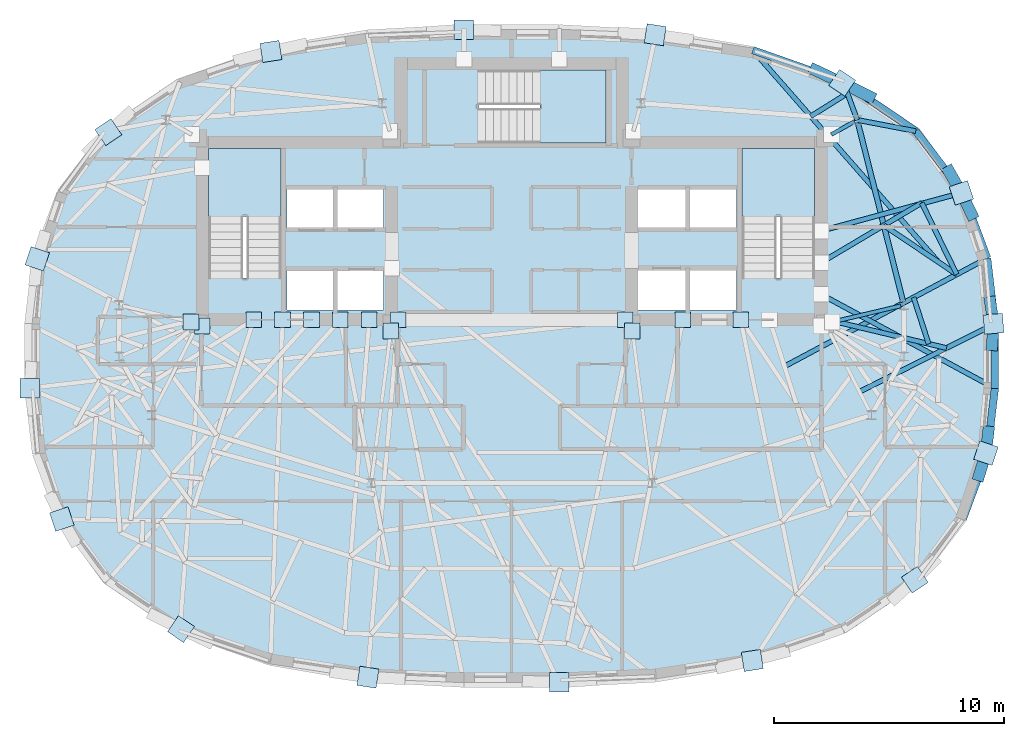
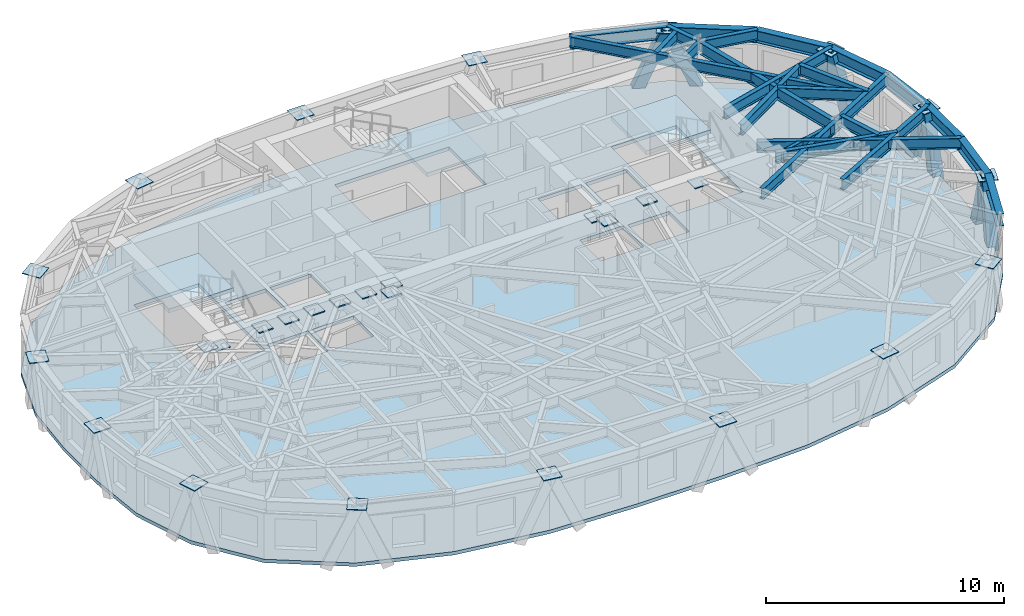
# One storey, part 4 of 12: 29 plates, 24 beams, 8 members, 4 slabs, 3 elements without a shape of their own.
"""IFC4 building model written with IfcOpenShell, lengths in metres."""

from ifc_helpers import new_model, si_unit, direction, frame, origin, origin_2d, place, context, subcontext, project, spatial, polyline, rectangle, hollow_rectangle, i_section, outline, extrude, material, layer, layer_set, material_profile, profile_set, type_object, element, aggregate, save


model = new_model("IFC4")

# Units and contexts
model_context = context("Model", 3, precision=1e-05, world=origin(), true_north=direction((0.0, 1.0)))
body_context = subcontext(model_context, "Body", "Model", "MODEL_VIEW")
ifc_project = project(units=[si_unit("LENGTHUNIT", "METRE"), si_unit("AREAUNIT", "SQUARE_METRE"), si_unit("VOLUMEUNIT", "CUBIC_METRE"), si_unit("PLANEANGLEUNIT", "RADIAN"), si_unit("MASSUNIT", "GRAM", prefix="KILO")], contexts=[model_context])

# Site, building, storey
site_placement = place(None, origin())
site = spatial("IfcSite", under=ifc_project, at=site_placement, CompositionType="ELEMENT")
building_placement = place(site_placement, origin())
building = spatial("IfcBuilding", under=site, at=building_placement, Name="Keldmark Tower", CompositionType="ELEMENT")
storey_placement = place(building_placement, frame((0.0, 0.0, 250.949951171875)))
storey = spatial("IfcBuildingStorey", under=building, at=storey_placement, Name="L71", CompositionType="ELEMENT", Elevation=250.949951171875)

# Members
ifc_material_1 = material(Name="Steel ASTM A572 Grade 50", Category="steel")
ifc_material_profile_1 = material_profile(ifc_material_1, hollow_rectangle(XDim=0.5, YDim=0.5, WallThickness=0.030029296875, at=origin_2d()), Name="BOX500X500X30")
ifc_profile_set_1 = profile_set([ifc_material_profile_1], Name="Steel ASTM A572 Grade 50")
member_type = type_object("IfcMemberType", Name="Diagrid Upper Brace BOX500X500X30", PredefinedType="BRACE", material=ifc_profile_set_1)
member_1_placement = place(storey_placement, frame((20.766845703125, 2.34130859375, -0.260009765625), z_axis=(0.044563028667, -0.290935059207, 0.955704414451), x_axis=(0.988471671921, 0.151405923961, 0.0)))
element("IfcMember", 1, at=member_1_placement, inside=storey, type_object=member_type, Name="L71 Perimeter Diagrid Brace 01A", PredefinedType="BRACE", context=body_context, shape_type="SweptSolid", body=[
    extrude(hollow_rectangle(XDim=0.5, YDim=0.5, WallThickness=0.030029296875, at=origin_2d()), origin(), (0.0, 0.0, 1.0), 3.254150390625),
])
member_2_placement = place(storey_placement, frame((19.958251953125, 6.156982421875, -0.260009765625), z_axis=(-0.135009436415, 0.280834545913, 0.950212823477), x_axis=(-0.901261412723, -0.433275738919, 0.0)))
element("IfcMember", 2, at=member_2_placement, inside=storey, type_object=member_type, Name="L71 Perimeter Diagrid Brace 01B", PredefinedType="BRACE", context=body_context, shape_type="SweptSolid", body=[
    extrude(hollow_rectangle(XDim=0.5, YDim=0.5, WallThickness=0.030029296875, at=origin_2d()), origin(), (0.0, 0.0, 1.0), 3.27294921875),
])
member_3_placement = place(storey_placement, frame((18.97900390625, 8.014404296875, -0.260009765625), z_axis=(0.164337629641, -0.287942633638, 0.943441669218), x_axis=(0.868504205417, 0.495681798308, 0.0)))
element("IfcMember", 3, at=member_3_placement, inside=storey, type_object=member_type, Name="L71 Perimeter Diagrid Brace 02A", PredefinedType="BRACE", context=body_context, shape_type="SweptSolid", body=[
    extrude(hollow_rectangle(XDim=0.5, YDim=0.5, WallThickness=0.030029296875, at=origin_2d()), origin(), (0.0, 0.0, 1.0), 3.296630859375),
])
member_4_placement = place(storey_placement, frame((15.545654296875, 11.251220703125, -0.260009765625), z_axis=(-0.354184850957, 0.177452808925, 0.91818494431), x_axis=(-0.447941215478, -0.894063010909, 0.0)))
element("IfcMember", 4, at=member_4_placement, inside=storey, type_object=member_type, Name="L71 Perimeter Diagrid Brace 02B", PredefinedType="BRACE", context=body_context, shape_type="SweptSolid", body=[
    extrude(hollow_rectangle(XDim=0.5, YDim=0.5, WallThickness=0.030029296875, at=origin_2d()), origin(), (0.0, 0.0, 1.0), 3.38720703125),
])
member_5_placement = place(storey_placement, frame((13.15966796875, 12.4091796875, -0.260009765625), z_axis=(0.353506141559, -0.167252548071, 0.920358621975), x_axis=(0.427673351571, 0.903933351722, 0.0)))
element("IfcMember", 5, at=member_5_placement, inside=storey, type_object=member_type, Name="L71 Perimeter Diagrid Brace 03A", PredefinedType="BRACE", context=body_context, shape_type="SweptSolid", body=[
    extrude(hollow_rectangle(XDim=0.5, YDim=0.5, WallThickness=0.030029296875, at=origin_2d()), origin(), (0.0, 0.0, 1.0), 3.379150390625),
])
member_6_placement = place(storey_placement, frame((20.28515625, -5.18359375, -0.260009765625), z_axis=(0.091362196537, 0.295807503985, 0.950868481773), x_axis=(-0.955465694242, 0.295102197767, 0.0)))
element("IfcMember", 6, at=member_6_placement, inside=storey, type_object=member_type, Name="L71 Perimeter Diagrid Brace 15B", PredefinedType="BRACE", context=body_context, shape_type="SweptSolid", body=[
    extrude(hollow_rectangle(XDim=0.5, YDim=0.5, WallThickness=0.030029296875, at=origin_2d()), origin(), (0.0, 0.0, 1.0), 3.270751953125),
])
member_7_placement = place(storey_placement, frame((20.68603515625, -3.281005859375, -0.260009765625), z_axis=(-0.032726697691, -0.290862278792, 0.956205050203), x_axis=(0.99372953543, -0.111810600632, 0.0)))
element("IfcMember", 7, at=member_7_placement, inside=storey, type_object=member_type, Name="L71 Perimeter Diagrid Brace 16A", PredefinedType="BRACE", context=body_context, shape_type="SweptSolid", body=[
    extrude(hollow_rectangle(XDim=0.5, YDim=0.5, WallThickness=0.030029296875, at=origin_2d()), origin(), (0.0, 0.0, 1.0), 3.25244140625),
])
member_8_placement = place(storey_placement, frame((20.849853515625, 0.47119140625, -0.260009765625), z_axis=(0.01909097123, 0.287867794534, 0.957479852367), x_axis=(-0.997808153175, 0.066173177782, 0.0)))
element("IfcMember", 8, at=member_8_placement, inside=storey, type_object=member_type, Name="L71 Perimeter Diagrid Brace 16B", PredefinedType="BRACE", context=body_context, shape_type="SweptSolid", body=[
    extrude(hollow_rectangle(XDim=0.5, YDim=0.5, WallThickness=0.030029296875, at=origin_2d()), origin(), (0.0, 0.0, 1.0), 3.248291015625),
])

# Beams
ifc_material_2 = material(Name="Steel ASTM A992 Grade 50", Category="steel")
ifc_material_profile_2 = material_profile(ifc_material_2, i_section(OverallWidth=0.22802734375, OverallDepth=0.60302734375, WebThickness=0.010498046875, FlangeThickness=0.014892578125, at=origin_2d()), Name="W24X68")
ifc_profile_set_2 = profile_set([ifc_material_profile_2], Name="Steel ASTM A992 Grade 50")
beam_type_1 = type_object("IfcBeamType", Name="Primary Floor Girder W24X68", PredefinedType="BEAM", material=ifc_profile_set_2)
beam_1_placement = place(storey_placement, frame((16.9912109375, 2.34375, 2.66845703125), z_axis=(-0.244902129455, 0.969547805417, 0.0), x_axis=(-0.969547805417, -0.244902129455, 0.0)))
element("IfcBeam", 9, at=beam_1_placement, inside=storey, type_object=beam_type_1, Name="L71 Floor Ring Girder FG-R01", PredefinedType="BEAM", context=body_context, shape_type="SweptSolid", body=[
    extrude(i_section(OverallWidth=0.22802734375, OverallDepth=0.60302734375, WebThickness=0.010498046875, FlangeThickness=0.014892578125, at=origin_2d()), origin(), (0.0, 0.0, 1.0), 8.008056640625),
])
ifc_material_3 = material(Name="Steel ASTM A992 Grade 50", Category="steel")
ifc_material_profile_3 = material_profile(ifc_material_3, i_section(OverallWidth=0.166015625, OverallDepth=0.529052734375, WebThickness=0.009765625, FlangeThickness=0.013671875, at=origin_2d()), Name="W21X50")
ifc_profile_set_3 = profile_set([ifc_material_profile_3], Name="Steel ASTM A992 Grade 50")
beam_type_2 = type_object("IfcBeamType", Name="Radial Tie Girder W21X50", PredefinedType="BEAM", material=ifc_profile_set_3)
beam_2_placement = place(storey_placement, frame((16.889404296875, 2.17578125, 2.70556640625), z_axis=(-0.97329039005, -0.229577474147, 0.0), x_axis=(0.229577474147, -0.97329039005, 0.0)))
element("IfcBeam", 10, at=beam_2_placement, inside=storey, type_object=beam_type_2, Name="L71 Floor Radial Girder FG-C01", PredefinedType="BEAM", context=body_context, shape_type="SweptSolid", body=[
    extrude(i_section(OverallWidth=0.166015625, OverallDepth=0.529052734375, WebThickness=0.009765625, FlangeThickness=0.013671875, at=origin_2d()), origin(), (0.0, 0.0, 1.0), 3.0595703125),
])
beam_3_placement = place(storey_placement, frame((14.8740234375, 10.174560546875, 2.70556640625), z_axis=(-0.869238046195, -0.494393789451, 0.0), x_axis=(0.494393789451, -0.869238046195, 0.0)))
element("IfcBeam", 11, at=beam_3_placement, inside=storey, type_object=beam_type_2, Name="L71 Floor Radial Girder FG-C02", PredefinedType="BEAM", context=body_context, shape_type="SweptSolid", body=[
    extrude(i_section(OverallWidth=0.166015625, OverallDepth=0.529052734375, WebThickness=0.009765625, FlangeThickness=0.013671875, at=origin_2d()), origin(), (0.0, 0.0, 1.0), 1.145751953125),
])
ifc_material_4 = material(Name="Steel ASTM A992 Grade 50", Category="steel")
ifc_material_profile_4 = material_profile(ifc_material_4, i_section(OverallWidth=0.2099609375, OverallDepth=0.537109375, WebThickness=0.010986328125, FlangeThickness=0.017333984375, at=origin_2d()), Name="W21X68")
ifc_profile_set_4 = profile_set([ifc_material_profile_4], Name="Steel ASTM A992 Grade 50")
beam_type_3 = type_object("IfcBeamType", Name="Radial Tie Girder W21X68", PredefinedType="BEAM", material=ifc_profile_set_4)
beam_4_placement = place(storey_placement, frame((13.699951171875, 1.574951171875, 2.70166015625), z_axis=(0.972801779815, -0.231639152971, 0.0), x_axis=(0.231639152971, 0.972801779815, 0.0)))
element("IfcBeam", 12, at=beam_4_placement, inside=storey, type_object=beam_type_3, Name="L71 Sub-Ring Step Girder STP1-M12", PredefinedType="BEAM", context=body_context, shape_type="SweptSolid", body=[
    extrude(i_section(OverallWidth=0.2099609375, OverallDepth=0.537109375, WebThickness=0.010986328125, FlangeThickness=0.017333984375, at=origin_2d()), origin(), (0.0, 0.0, 1.0), 5.316162109375),
])
beam_5_placement = place(storey_placement, frame((15.100830078125, -1.55322265625, 2.70166015625), z_axis=(0.893317416122, 0.44942629435, 0.0), x_axis=(-0.44942629435, 0.893317416122, 0.0)))
element("IfcBeam", 13, at=beam_5_placement, inside=storey, type_object=beam_type_3, Name="L71 Perimeter Radial Tie Girder RT-01", PredefinedType="BEAM", context=body_context, shape_type="SweptSolid", body=[
    extrude(i_section(OverallWidth=0.2099609375, OverallDepth=0.537109375, WebThickness=0.010986328125, FlangeThickness=0.017333984375, at=origin_2d()), origin(), (0.0, 0.0, 1.0), 6.572021484375),
])
beam_6_placement = place(storey_placement, frame((18.095947265625, 0.528076171875, 2.70166015625), z_axis=(-0.307903277553, 0.951417664158, 0.0), x_axis=(-0.951417664158, -0.307903277553, 0.0)))
element("IfcBeam", 14, at=beam_6_placement, inside=storey, type_object=beam_type_3, Name="L71 Framing Pin Header PH-012", PredefinedType="BEAM", context=body_context, shape_type="SweptSolid", body=[
    extrude(i_section(OverallWidth=0.2099609375, OverallDepth=0.537109375, WebThickness=0.010986328125, FlangeThickness=0.017333984375, at=origin_2d()), origin(), (0.0, 0.0, 1.0), 2.11474609375),
])
beam_7_placement = place(storey_placement, frame((11.840087890625, -0.452880859375, 2.70166015625), z_axis=(0.882119707426, 0.471025287824, 0.0), x_axis=(-0.471025287824, 0.882119707426, 0.0)))
element("IfcBeam", 15, at=beam_7_placement, inside=storey, type_object=beam_type_3, Name="L71 Perimeter Radial Tie Girder RT-02", PredefinedType="BEAM", context=body_context, shape_type="SweptSolid", body=[
    extrude(i_section(OverallWidth=0.2099609375, OverallDepth=0.537109375, WebThickness=0.010986328125, FlangeThickness=0.017333984375, at=origin_2d()), origin(), (0.0, 0.0, 1.0), 9.972412109375),
])
beam_8_placement = place(storey_placement, frame((19.3173828125, 3.539794921875, 2.70166015625), z_axis=(-0.829848189486, 0.557989231444, 0.0), x_axis=(-0.557989231444, -0.829848189486, 0.0)))
element("IfcBeam", 16, at=beam_8_placement, inside=storey, type_object=beam_type_3, Name="L71 Framing Pin Header PH-013", PredefinedType="BEAM", context=body_context, shape_type="SweptSolid", body=[
    extrude(i_section(OverallWidth=0.2099609375, OverallDepth=0.537109375, WebThickness=0.010986328125, FlangeThickness=0.017333984375, at=origin_2d()), origin(), (0.0, 0.0, 1.0), 3.81494140625),
])
beam_9_placement = place(storey_placement, frame((13.425048828125, 4.050048828125, 2.70166015625), z_axis=(0.859916017399, 0.510435542473, 0.0), x_axis=(-0.510435542473, 0.859916017399, 0.0)))
element("IfcBeam", 17, at=beam_9_placement, inside=storey, type_object=beam_type_3, Name="L71 Intermediate Radial Step Girder RT-03M", PredefinedType="BEAM", context=body_context, shape_type="SweptSolid", body=[
    extrude(i_section(OverallWidth=0.2099609375, OverallDepth=0.537109375, WebThickness=0.010986328125, FlangeThickness=0.017333984375, at=origin_2d()), origin(), (0.0, 0.0, 1.0), 5.082763671875),
])
beam_10_placement = place(storey_placement, frame((19.3173828125, 3.539794921875, 2.70166015625), z_axis=(-0.440053397506, 0.897971607203, 0.0), x_axis=(-0.897971607203, -0.440053397506, 0.0)))
element("IfcBeam", 18, at=beam_10_placement, inside=storey, type_object=beam_type_3, Name="L71 Local Collector Chord RT-03C", PredefinedType="BEAM", context=body_context, shape_type="SweptSolid", body=[
    extrude(i_section(OverallWidth=0.2099609375, OverallDepth=0.537109375, WebThickness=0.010986328125, FlangeThickness=0.017333984375, at=origin_2d()), origin(), (0.0, 0.0, 1.0), 3.45751953125),
])
beam_11_placement = place(storey_placement, frame((13.425048828125, 5.425048828125, 2.70166015625), z_axis=(0.965099955256, 0.26188179846, 0.0), x_axis=(-0.26188179846, 0.965099955256, 0.0)))
element("IfcBeam", 19, at=beam_11_placement, inside=storey, type_object=beam_type_3, Name="L71 Perimeter Radial Tie Girder RT-03", PredefinedType="BEAM", context=body_context, shape_type="SweptSolid", body=[
    extrude(i_section(OverallWidth=0.2099609375, OverallDepth=0.537109375, WebThickness=0.010986328125, FlangeThickness=0.017333984375, at=origin_2d()), origin(), (0.0, 0.0, 1.0), 6.37109375),
])
beam_12_placement = place(storey_placement, frame((14.995849609375, 10.24365234375, 2.70166015625), z_axis=(0.982228547409, -0.187688786704, 0.0), x_axis=(0.187688786704, 0.982228547409, 0.0)))
element("IfcBeam", 20, at=beam_12_placement, inside=storey, type_object=beam_type_3, Name="L71 Perimeter Column Bracket RT-04", PredefinedType="BEAM", context=body_context, shape_type="SweptSolid", body=[
    extrude(i_section(OverallWidth=0.2099609375, OverallDepth=0.537109375, WebThickness=0.010986328125, FlangeThickness=0.017333984375, at=origin_2d()), origin(), (0.0, 0.0, 1.0), 2.587158203125),
])
beam_13_placement = place(storey_placement, frame((14.995849609375, 10.24365234375, 2.70166015625), z_axis=(-0.344111487605, 0.938928796075, 0.0), x_axis=(-0.938928796075, -0.344111487605, 0.0)))
element("IfcBeam", 21, at=beam_13_placement, inside=storey, type_object=beam_type_3, Name="L71 Perimeter Column Bracket RT-05", PredefinedType="BEAM", context=body_context, shape_type="SweptSolid", body=[
    extrude(i_section(OverallWidth=0.2099609375, OverallDepth=0.537109375, WebThickness=0.010986328125, FlangeThickness=0.017333984375, at=origin_2d()), origin(), (0.0, 0.0, 1.0), 1.75390625),
])
beam_14_placement = place(storey_placement, frame((14.573486328125, 11.396240234375, 2.70166015625), z_axis=(-0.8477647549, -0.53037243551, 0.0), x_axis=(0.53037243551, -0.8477647549, 0.0)))
element("IfcBeam", 22, at=beam_14_placement, inside=storey, type_object=beam_type_3, Name="L71 Framing Pin Header PH-014", PredefinedType="BEAM", context=body_context, shape_type="SweptSolid", body=[
    extrude(i_section(OverallWidth=0.2099609375, OverallDepth=0.537109375, WebThickness=0.010986328125, FlangeThickness=0.017333984375, at=origin_2d()), origin(), (0.0, 0.0, 1.0), 1.8798828125),
])
beam_15_placement = place(storey_placement, frame((18.52587890625, 4.072021484375, 2.70166015625), z_axis=(-0.659169849557, 0.751994088697, 0.0), x_axis=(-0.751994088697, -0.659169849557, 0.0)))
element("IfcBeam", 23, at=beam_15_placement, inside=storey, type_object=beam_type_3, Name="L71 Perimeter Radial Tie Girder RT-06", PredefinedType="BEAM", context=body_context, shape_type="SweptSolid", body=[
    extrude(i_section(OverallWidth=0.2099609375, OverallDepth=0.537109375, WebThickness=0.010986328125, FlangeThickness=0.017333984375, at=origin_2d()), origin(), (0.0, 0.0, 1.0), 12.232666015625),
])
beam_16_placement = place(storey_placement, frame((13.425048828125, 2.675048828125, 2.70166015625), z_axis=(0.879892782317, -0.475172275734, 0.0), x_axis=(0.475172275734, 0.879892782317, 0.0)))
element("IfcBeam", 24, at=beam_16_placement, inside=storey, type_object=beam_type_3, Name="L71 Perimeter Radial Tie Girder RT-32", PredefinedType="BEAM", context=body_context, shape_type="SweptSolid", body=[
    extrude(i_section(OverallWidth=0.2099609375, OverallDepth=0.537109375, WebThickness=0.010986328125, FlangeThickness=0.017333984375, at=origin_2d()), origin(), (0.0, 0.0, 1.0), 8.57666015625),
])
ifc_material_5 = material(Name="Steel ASTM A992 Grade 50", Category="steel")
ifc_material_profile_5 = material_profile(ifc_material_5, i_section(OverallWidth=0.326904296875, OverallDepth=0.6220703125, WebThickness=0.015380859375, FlangeThickness=0.0244140625, at=origin_2d()), Name="W24X131")
ifc_profile_set_5 = profile_set([ifc_material_profile_5], Name="Steel ASTM A992 Grade 50")
beam_type_4 = type_object("IfcBeamType", Name="Spandrel Ring Beam W24X131", PredefinedType="SPANDREL", material=ifc_profile_set_5)
beam_17_placement = place(storey_placement, frame((20.9716796875, 1.400390625, 2.658935546875), z_axis=(-0.116885766715, 0.993145365764, 0.0), x_axis=(-0.993145365764, -0.116885766715, 0.0)))
element("IfcBeam", 25, at=beam_17_placement, inside=storey, type_object=beam_type_4, Name="L71 Perimeter Spandrel Ring Beam SRB-01", PredefinedType="SPANDREL", context=body_context, shape_type="SweptSolid", body=[
    extrude(i_section(OverallWidth=0.326904296875, OverallDepth=0.6220703125, WebThickness=0.015380859375, FlangeThickness=0.0244140625, at=origin_2d()), origin(), (0.0, 0.0, 1.0), 2.863525390625),
])
beam_18_placement = place(storey_placement, frame((20.636962890625, 4.244384765625, 2.658935546875), z_axis=(-0.349627332297, 0.936888856007, 0.0), x_axis=(-0.936888856007, -0.349627332297, 0.0)))
element("IfcBeam", 26, at=beam_18_placement, inside=storey, type_object=beam_type_4, Name="L71 Perimeter Spandrel Ring Beam SRB-02", PredefinedType="SPANDREL", context=body_context, shape_type="SweptSolid", body=[
    extrude(i_section(OverallWidth=0.326904296875, OverallDepth=0.6220703125, WebThickness=0.015380859375, FlangeThickness=0.0244140625, at=origin_2d()), origin(), (0.0, 0.0, 1.0), 3.041015625),
])
beam_19_placement = place(storey_placement, frame((19.57373046875, 7.093505859375, 2.658935546875), z_axis=(-0.607266352304, 0.794498318034, 0.0), x_axis=(-0.794498318034, -0.607266352304, 0.0)))
element("IfcBeam", 27, at=beam_19_placement, inside=storey, type_object=beam_type_4, Name="L71 Perimeter Spandrel Ring Beam SRB-03", PredefinedType="SPANDREL", context=body_context, shape_type="SweptSolid", body=[
    extrude(i_section(OverallWidth=0.326904296875, OverallDepth=0.6220703125, WebThickness=0.015380859375, FlangeThickness=0.0244140625, at=origin_2d()), origin(), (0.0, 0.0, 1.0), 3.353759765625),
])
beam_20_placement = place(storey_placement, frame((17.537109375, 9.758056640625, 2.658935546875), z_axis=(-0.827675110689, 0.561207547299, 0.0), x_axis=(-0.561207547299, -0.827675110689, 0.0)))
element("IfcBeam", 28, at=beam_20_placement, inside=storey, type_object=beam_type_4, Name="L71 Perimeter Spandrel Ring Beam SRB-04", PredefinedType="SPANDREL", context=body_context, shape_type="SweptSolid", body=[
    extrude(i_section(OverallWidth=0.326904296875, OverallDepth=0.6220703125, WebThickness=0.015380859375, FlangeThickness=0.0244140625, at=origin_2d()), origin(), (0.0, 0.0, 1.0), 3.799560546875),
])
beam_21_placement = place(storey_placement, frame((14.392333984375, 11.890380859375, 2.658935546875), z_axis=(-0.9434730198, 0.331449333849, 0.0), x_axis=(-0.331449333849, -0.9434730198, 0.0)))
element("IfcBeam", 29, at=beam_21_placement, inside=storey, type_object=beam_type_4, Name="L71 Perimeter Spandrel Ring Beam SRB-05", PredefinedType="SPANDREL", context=body_context, shape_type="SweptSolid", body=[
    extrude(i_section(OverallWidth=0.326904296875, OverallDepth=0.6220703125, WebThickness=0.015380859375, FlangeThickness=0.0244140625, at=origin_2d()), origin(), (0.0, 0.0, 1.0), 4.165283203125),
])
beam_22_placement = place(storey_placement, frame((19.57373046875, -7.093505859375, 2.658935546875), z_axis=(0.349627332297, 0.936888856007, 0.0), x_axis=(-0.936888856007, 0.349627332297, 0.0)))
element("IfcBeam", 30, at=beam_22_placement, inside=storey, type_object=beam_type_4, Name="L71 Perimeter Spandrel Ring Beam SRB-30", PredefinedType="SPANDREL", context=body_context, shape_type="SweptSolid", body=[
    extrude(i_section(OverallWidth=0.326904296875, OverallDepth=0.6220703125, WebThickness=0.015380859375, FlangeThickness=0.0244140625, at=origin_2d()), origin(), (0.0, 0.0, 1.0), 3.041015625),
])
beam_23_placement = place(storey_placement, frame((20.636962890625, -4.244384765625, 2.658935546875), z_axis=(0.116885766715, 0.993145365764, 0.0), x_axis=(-0.993145365764, 0.116885766715, 0.0)))
element("IfcBeam", 31, at=beam_23_placement, inside=storey, type_object=beam_type_4, Name="L71 Perimeter Spandrel Ring Beam SRB-31", PredefinedType="SPANDREL", context=body_context, shape_type="SweptSolid", body=[
    extrude(i_section(OverallWidth=0.326904296875, OverallDepth=0.6220703125, WebThickness=0.015380859375, FlangeThickness=0.0244140625, at=origin_2d()), origin(), (0.0, 0.0, 1.0), 2.863525390625),
])
beam_24_placement = place(storey_placement, frame((20.9716796875, -1.400390625, 2.658935546875), z_axis=(0.0, 1.0, 0.0), x_axis=(-1.0, 0.0, 0.0)))
element("IfcBeam", 32, at=beam_24_placement, inside=storey, type_object=beam_type_4, Name="L71 Perimeter Spandrel Ring Beam SRB-32", PredefinedType="SPANDREL", context=body_context, shape_type="SweptSolid", body=[
    extrude(i_section(OverallWidth=0.326904296875, OverallDepth=0.6220703125, WebThickness=0.015380859375, FlangeThickness=0.0244140625, at=origin_2d()), origin(), (0.0, 0.0, 1.0), 2.80078125),
])

# Plates
ifc_material_6 = material(Name="Steel ASTM A572 Grade 50", Category="steel")
ifc_layer_1 = layer(ifc_material_6, 0.06005859375)
ifc_layer_set_1 = layer_set([ifc_layer_1], Name="Steel ASTM A572 Grade 50")
plate_type_1 = type_object("IfcPlateType", Name="Belt Truss Kink Node Assembly KN01 60 mm", PredefinedType="USERDEFINED", material=ifc_layer_set_1)
for number, where, z_axis, x_axis, name in (
    (33, (-13.91162109375, 1.473388671875, 2.67822265625), (0.0, 0.0, 1.0), (1.0, 0.0, 0.0), "L71 Core Wall Cast-In Embed Plate 2062"),
    (34, (-5.24072265625, 1.08251953125, 2.67822265625), (0.0, 0.0, 1.0), (1.0, 0.0, 0.0), "L71 Core Wall Cast-In Embed Plate 2063"),
    (35, (5.24072265625, 1.08251953125, 2.67822265625), (0.0, 0.0, 1.0), (1.0, 0.0, 0.0), "L71 Core Wall Cast-In Embed Plate 2064"),
    (36, (-11.19287109375, 1.574951171875, 2.67431640625), (0.0, 0.0, 1.0), (1.0, 0.0, 0.0), "L71 Core Wall Cast-In Embed Plate 2067"),
    (37, (-7.43212890625, 1.574951171875, 2.67431640625), (0.0, 0.0, 1.0), (1.0, 0.0, 0.0), "L71 Core Wall Cast-In Embed Plate 2068"),
    (38, (7.43212890625, 1.574951171875, 2.67431640625), (0.0, 0.0, 1.0), (1.0, 0.0, 0.0), "L71 Core Wall Cast-In Embed Plate 2069"),
    (39, (-8.685791015625, 1.574951171875, 2.67431640625), (0.0, 0.0, 1.0), (1.0, 0.0, 0.0), "L71 Core Wall Cast-In Embed Plate 2071"),
    (40, (-6.1787109375, 1.574951171875, 2.67431640625), (0.0, 0.0, 1.0), (1.0, 0.0, 0.0), "L71 Core Wall Cast-In Embed Plate 2072"),
    (41, (9.939208984375, 1.574951171875, 2.67431640625), (0.0, 0.0, 1.0), (1.0, 0.0, 0.0), "L71 Core Wall Cast-In Embed Plate 2073"),
    (42, (4.925048828125, 1.574951171875, 2.67431640625), (0.0, 0.0, 1.0), (1.0, 0.0, 0.0), "L71 Core Wall Cast-In Embed Plate 2076"),
    (43, (-13.425048828125, 1.300048828125, 2.67431640625), (0.0, 0.0, 1.0), (1.0, 0.0, 0.0), "L71 Core Wall Cast-In Embed Plate 2077"),
    (44, (-9.939208984375, 1.574951171875, 2.67431640625), (0.0, 0.0, 1.0), (1.0, 0.0, 0.0), "L71 Core Wall Cast-In Embed Plate 2078"),
    (45, (-4.925048828125, 1.574951171875, 2.67431640625), (0.0, 0.0, 1.0), (1.0, 0.0, 0.0), "L71 Core Wall Cast-In Embed Plate 2079"),
):
    element("IfcPlate", number, at=place(storey_placement, frame(where, z_axis=z_axis, x_axis=x_axis)), inside=storey, type_object=plate_type_1, Name=name, ObjectType="CAP PLATE", PredefinedType="USERDEFINED", context=body_context, shape_type="SweptSolid", body=[
        extrude(rectangle(XDim=0.679931640625, YDim=0.679931640625, at=origin_2d()), origin(), (0.0, 0.0, 1.0), 0.054931640625),
    ])
ifc_material_7 = material(Name="Steel ASTM A572 Grade 50", Category="steel")
ifc_layer_2 = layer(ifc_material_7, 0.034912109375)
ifc_layer_set_2 = layer_set([ifc_layer_2], Name="Steel ASTM A572 Grade 50")
plate_type_2 = type_object("IfcPlateType", Name="Diagrid Node Assembly DN06 35 mm", PredefinedType="USERDEFINED", material=ifc_layer_set_2)
for number, where, z_axis, x_axis, name in (
    (46, (20.911865234375, 1.39453125, 2.83251953125), (0.0, 0.0, 1.0), (-0.086981872646, 0.996209894465, 0.0), "L71 Diagrid Node Assembly 01"),
    (47, (19.516357421875, 7.076171875, 2.83251953125), (0.0, 0.0, 1.0), (-0.31763566447, 0.948212837214, 0.0), "L71 Diagrid Node Assembly 02"),
    (48, (14.345947265625, 11.852294921875, 2.83251953125), (0.0, 0.0, 1.0), (-0.827668733006, 0.561216953062, 0.0), "L71 Diagrid Node Assembly 04"),
    (49, (6.23193359375, 13.93896484375, 2.83251953125), (0.0, 0.0, 1.0), (-0.988361510468, 0.15212338619, 0.0), "L71 Diagrid Node Assembly 06"),
    (50, (-2.0712890625, 14.1591796875, 2.83251953125), (0.0, 0.0, 1.0), (-1.0, 0.0, 0.0), "L71 Diagrid Node Assembly 08"),
    (51, (-10.445068359375, 13.213623046875, 2.83251953125), (0.0, 0.0, 1.0), (-0.988361510468, -0.15212338619, 0.0), "L71 Diagrid Node Assembly 10"),
    (52, (-17.4990234375, 9.711669921875, 2.83251953125), (0.0, 0.0, 1.0), (-0.827668733006, -0.561216953062, 0.0), "L71 Diagrid Node Assembly 12"),
    (53, (-20.583984375, 4.216064453125, 2.83251953125), (0.0, 0.0, 1.0), (-0.31763566447, -0.948212837214, 0.0), "L71 Diagrid Node Assembly 14"),
    (54, (-20.911865234375, -1.40625, 2.83251953125), (0.0, 0.0, 1.0), (0.0, -1.0, 0.0), "L71 Diagrid Node Assembly 16"),
    (55, (-19.516357421875, -7.076171875, 2.83251953125), (0.0, 0.0, 1.0), (0.31763566447, -0.948212837214, 0.0), "L71 Diagrid Node Assembly 18"),
    (56, (-14.345947265625, -11.852294921875, 2.83251953125), (0.0, 0.0, 1.0), (0.827668733006, -0.561216953062, 0.0), "L71 Diagrid Node Assembly 20"),
    (57, (-6.23193359375, -13.93896484375, 2.83251953125), (0.0, 0.0, 1.0), (0.988361510468, -0.15212338619, 0.0), "L71 Diagrid Node Assembly 22"),
    (58, (2.0712890625, -14.1591796875, 2.83251953125), (0.0, 0.0, 1.0), (1.0, 0.0, 0.0), "L71 Diagrid Node Assembly 24"),
    (59, (10.445068359375, -13.213623046875, 2.83251953125), (0.0, 0.0, 1.0), (0.988361510468, 0.15212338619, 0.0), "L71 Diagrid Node Assembly 26"),
    (60, (17.4990234375, -9.711669921875, 2.83251953125), (0.0, 0.0, 1.0), (0.827668733006, 0.561216953062, 0.0), "L71 Diagrid Node Assembly 28"),
    (61, (20.583984375, -4.216064453125, 2.83251953125), (0.0, 0.0, 1.0), (0.31763566447, 0.948212837214, 0.0), "L71 Diagrid Node Assembly 30"),
):
    element("IfcPlate", number, at=place(storey_placement, frame(where, z_axis=z_axis, x_axis=x_axis)), inside=storey, type_object=plate_type_2, Name=name, ObjectType="GUSSET", PredefinedType="USERDEFINED", context=body_context, shape_type="SweptSolid", body=[
        extrude(rectangle(XDim=0.840087890625, YDim=0.840087890625, at=origin_2d()), origin(), (0.0, 0.0, 1.0), 0.034912109375),
    ])

# Slab
ifc_material_8 = material(Name="Concrete C35/45", Category="concrete")
ifc_layer_3 = layer(ifc_material_8, 0.179931640625)
ifc_layer_set_3 = layer_set([ifc_layer_3], Name="Concrete C35/45")
slab_type_1 = type_object("IfcSlabType", Name="Hotel and Residential Slab 180 mm", PredefinedType="FLOOR", material=ifc_layer_set_3)
slab_1_placement = place(storey_placement, frame((0.0, 0.0, -0.179931640625)))
element("IfcSlab", 62, at=slab_1_placement, inside=storey, type_object=slab_type_1, Name="L71 Composite Structural Floor Slab", PredefinedType="FLOOR", context=body_context, shape_type="SweptSolid", body=[
    extrude(outline(polyline([(20.909423828125, 1.396240234375), (20.660400390625, 4.249267578125), (19.693115234375, 7.136962890625), (17.708984375, 9.85400390625), (14.533447265625, 12.007080078125), (10.526123046875, 13.352294921875), (6.267333984375, 14.00830078125), (2.059326171875, 14.177001953125), (-2.059326171875, 14.177001953125), (-6.267333984375, 14.00830078125), (-10.526123046875, 13.352294921875), (-14.533447265625, 12.007080078125), (-17.708984375, 9.85400390625), (-19.693115234375, 7.136962890625), (-20.660400390625, 4.249267578125), (-20.909423828125, 1.396240234375), (-20.909423828125, -1.396240234375), (-20.660400390625, -4.249267578125), (-19.693115234375, -7.136962890625), (-17.708984375, -9.85400390625), (-14.533447265625, -12.007080078125), (-10.526123046875, -13.352294921875), (-6.267333984375, -14.00830078125), (-2.059326171875, -14.177001953125), (2.059326171875, -14.177001953125), (6.267333984375, -14.00830078125), (10.526123046875, -13.352294921875), (14.533447265625, -12.007080078125), (17.708984375, -9.85400390625), (19.693115234375, -7.136962890625), (20.660400390625, -4.249267578125), (20.909423828125, -1.396240234375), (20.909423828125, 1.396240234375)]), holes=[polyline([(-10.0, 3.385009765625), (-10.0, 9.0), (-13.14990234375, 9.0), (-13.14990234375, 3.385009765625), (-10.0, 3.385009765625)]), polyline([(13.14990234375, 3.385009765625), (13.14990234375, 9.0), (10.0, 9.0), (10.0, 3.385009765625), (13.14990234375, 3.385009765625)]), polyline([(-1.43994140625, 9.25), (4.10498046875, 9.25), (4.10498046875, 12.39990234375), (-1.43994140625, 12.39990234375), (-1.43994140625, 9.25)]), polyline([(-9.75, 2.0), (-7.75, 2.0), (-7.75, 3.699951171875), (-9.75, 3.699951171875), (-9.75, 2.0)]), polyline([(7.75, 2.0), (9.75, 2.0), (9.75, 3.699951171875), (7.75, 3.699951171875), (7.75, 2.0)]), polyline([(5.449951171875, 2.0), (7.550048828125, 2.0), (7.550048828125, 3.75), (5.449951171875, 3.75), (5.449951171875, 2.0)]), polyline([(-9.75, 5.550048828125), (-7.75, 5.550048828125), (-7.75, 7.25), (-9.75, 7.25), (-9.75, 5.550048828125)]), polyline([(-7.550048828125, 5.550048828125), (-5.550048828125, 5.550048828125), (-5.550048828125, 7.25), (-7.550048828125, 7.25), (-7.550048828125, 5.550048828125)]), polyline([(-7.550048828125, 2.0), (-5.550048828125, 2.0), (-5.550048828125, 3.699951171875), (-7.550048828125, 3.699951171875), (-7.550048828125, 2.0)]), polyline([(5.449951171875, 5.550048828125), (7.550048828125, 5.550048828125), (7.550048828125, 7.25), (5.449951171875, 7.25), (5.449951171875, 5.550048828125)]), polyline([(7.75, 5.550048828125), (9.75, 5.550048828125), (9.75, 7.25), (7.75, 7.25), (7.75, 5.550048828125)])]), origin(), (0.0, 0.0, 1.0), 0.179931640625),
])

# Stair, slab
ifc_material_9 = material(Name="Concrete C40/50", Category="concrete")
stair_type = type_object("IfcStairType", Name="Precast Concrete Core Exit Stair", PredefinedType="HALF_TURN_STAIR", material=ifc_material_9)
stair_1_placement = place(storey_placement, origin())
stair_1 = element("IfcStair", 63, at=stair_1_placement, inside=storey, type_object=stair_type, Name="L71 Exit Stair ST1", PredefinedType="HALF_TURN_STAIR")
ifc_material_10 = material(Name="Concrete C40/50", Category="concrete")
ifc_layer_4 = layer(ifc_material_10, 0.199951171875)
ifc_layer_set_4 = layer_set([ifc_layer_4], Name="Concrete C40/50")
slab_type_2 = type_object("IfcSlabType", Name="Reinforced Concrete Stair Landing 200 mm", PredefinedType="LANDING", material=ifc_layer_set_4)
slab_2_placement = place(storey_placement, frame((0.0, 0.0, 1.375)))
slab_2 = element("IfcSlab", 64, at=slab_2_placement, type_object=slab_type_2, Name="ST1 landing 1", PredefinedType="LANDING", context=body_context, shape_type="SweptSolid", body=[
    extrude(outline(polyline([(-10.0, 6.050048828125), (-10.0, 9.0), (-13.14990234375, 9.0), (-13.14990234375, 6.050048828125), (-10.0, 6.050048828125)])), origin(), (0.0, 0.0, 1.0), 0.199951171875),
])
aggregate(stair_1, [slab_2])

stair_2_placement = place(storey_placement, origin())
stair_2 = element("IfcStair", 65, at=stair_2_placement, inside=storey, type_object=stair_type, Name="L71 Exit Stair ST2", PredefinedType="HALF_TURN_STAIR")
slab_3_placement = place(storey_placement, frame((0.0, 0.0, 1.375)))
slab_3 = element("IfcSlab", 66, at=slab_3_placement, type_object=slab_type_2, Name="ST2 landing 1", PredefinedType="LANDING", context=body_context, shape_type="SweptSolid", body=[
    extrude(outline(polyline([(13.14990234375, 6.050048828125), (13.14990234375, 9.0), (10.0, 9.0), (10.0, 6.050048828125), (13.14990234375, 6.050048828125)])), origin(), (0.0, 0.0, 1.0), 0.199951171875),
])
aggregate(stair_2, [slab_3])

stair_3_placement = place(storey_placement, origin())
stair_3 = element("IfcStair", 67, at=stair_3_placement, inside=storey, type_object=stair_type, Name="L71 Exit Stair ST3", PredefinedType="HALF_TURN_STAIR")
slab_4_placement = place(storey_placement, frame((0.0, 0.0, 1.375)))
slab_4 = element("IfcSlab", 68, at=slab_4_placement, type_object=slab_type_2, Name="ST3 landing 1", PredefinedType="LANDING", context=body_context, shape_type="SweptSolid", body=[
    extrude(outline(polyline([(1.22509765625, 9.25), (4.10498046875, 9.25), (4.10498046875, 12.39990234375), (1.22509765625, 12.39990234375), (1.22509765625, 9.25)])), origin(), (0.0, 0.0, 1.0), 0.199951171875),
])
aggregate(stair_3, [slab_4])

save(model, "model.ifc")
